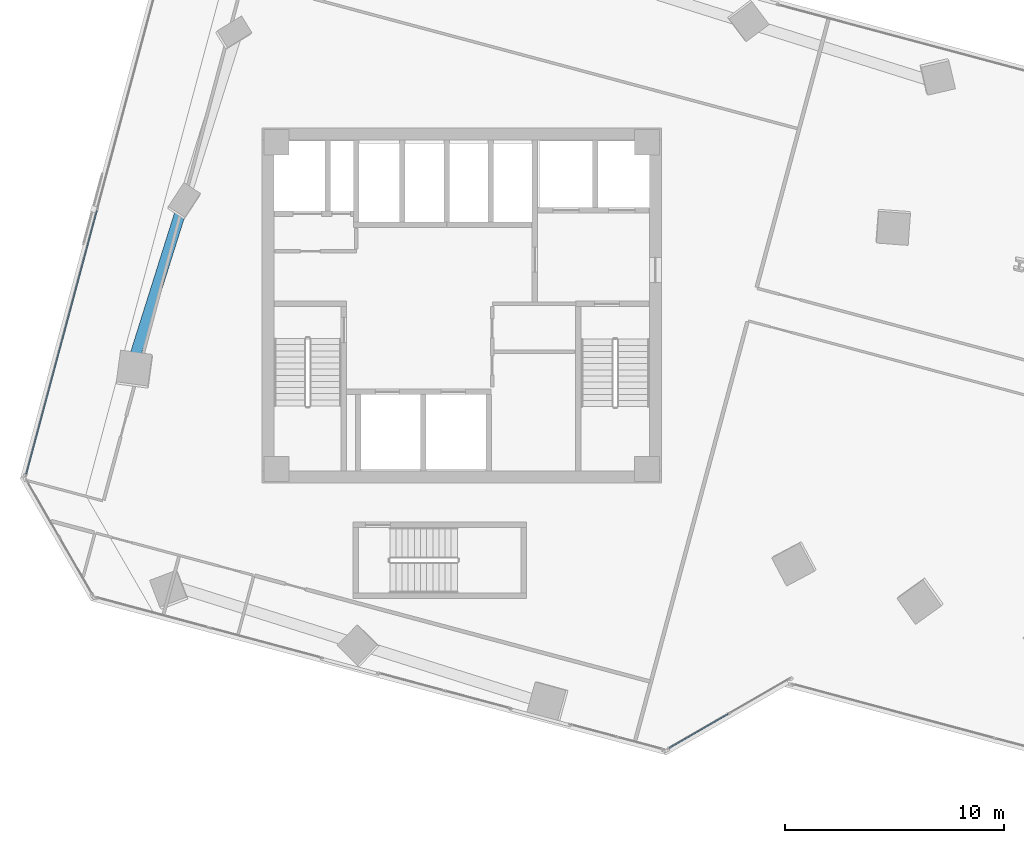
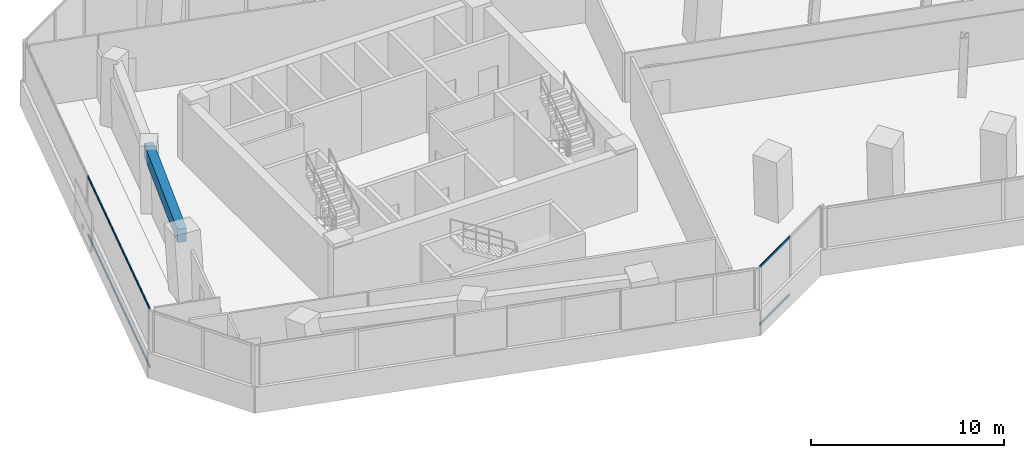
# One storey, part 6 of 27: 4 members, 1 beam, 2 elements without a shape of their own.
"""IFC4 building model written with IfcOpenShell, lengths in metres."""

from ifc_helpers import new_model, si_unit, direction, frame, origin, origin_2d, place, context, subcontext, project, spatial, rectangle, hollow_rectangle, extrude, source, transform, mapped, material, material_profile, profile_set, type_object, element, aggregate, save


model = new_model("IFC4")

# Units and contexts
model_context = context("Model", 3, precision=1e-05, world=origin(), true_north=direction((0.0, 1.0)))
body_context = subcontext(model_context, "Body", "Model", "MODEL_VIEW")
ifc_project = project(units=[si_unit("LENGTHUNIT", "METRE"), si_unit("AREAUNIT", "SQUARE_METRE"), si_unit("VOLUMEUNIT", "CUBIC_METRE"), si_unit("PLANEANGLEUNIT", "RADIAN"), si_unit("MASSUNIT", "GRAM", prefix="KILO")], contexts=[model_context])

# Site, building, storey
site_placement = place(None, origin())
site = spatial("IfcSite", under=ifc_project, at=site_placement, CompositionType="ELEMENT")
building_placement = place(site_placement, origin())
building = spatial("IfcBuilding", under=site, at=building_placement, Name="Torre Montelarca", CompositionType="ELEMENT")
storey_placement = place(building_placement, frame((0.0, 0.0, 108.39990234375)))
storey = spatial("IfcBuildingStorey", under=building, at=storey_placement, Name="L24", CompositionType="ELEMENT", Elevation=108.39990234375)

# Beam
ifc_material_1 = material(Name="Concrete C55/67", Category="concrete")
ifc_material_profile_1 = material_profile(ifc_material_1, rectangle(XDim=0.5, YDim=0.85009765625, at=origin_2d()), Name="RCB500X850", Category="concrete")
ifc_profile_set_1 = profile_set([ifc_material_profile_1], Name="Concrete C55/67")
beam_type = type_object("IfcBeamType", Name="BM-SP-RC850-EXT", PredefinedType="SPANDREL", material=ifc_profile_set_1)
shared_shape_1 = source(origin(), body_context, "Body", "SweptSolid", [
    extrude(rectangle(XDim=0.5, YDim=0.85009765625, at=origin_2d()), origin(), (0.0, 0.0, 1.0), 8.0),
])
beam_placement = place(storey_placement, frame((3.024169921875, 29.437255859375, 3.53515625), z_axis=(0.300722386371, 0.953711720771, 0.0), x_axis=(-0.953711720771, 0.300722386371, 0.0)))
element("IfcBeam", 1, at=beam_placement, inside=storey, type_object=beam_type, Name="L24 Grid Girder Y 24.0-32.0 at X=4.7", PredefinedType="SPANDREL", context=body_context, shape_type="MappedRepresentation", body=[
    mapped(shared_shape_1, transform((0.0, 0.0, 0.0), scale=1.0)),
])

# Curtain wall, members
ifc_material_2 = material(Name="Insulated low-E laminated glass", Category="glass")
curtain_wall_type = type_object("IfcCurtainWallType", Name="CW-SYS-Z1", PredefinedType="USERDEFINED", material=ifc_material_2)
curtain_wall_1_placement = place(storey_placement, origin())
curtain_wall_1 = element("IfcCurtainWall", 2, at=curtain_wall_1_placement, inside=storey, type_object=curtain_wall_type, Name="L24 Curtain Wall Run CW-T3-L24-E02-B1", ObjectType="UNITISED GLAZING", PredefinedType="USERDEFINED")
ifc_material_3 = material(Name="Anodised aluminium AA 6063-T6", Category="aluminium")
ifc_material_profile_2 = material_profile(ifc_material_3, hollow_rectangle(XDim=0.06494140625, YDim=0.139892578125, WallThickness=0.00390625, InnerFilletRadius=0.00390625, OuterFilletRadius=0.008056640625, at=origin_2d()), Name="ALU65X140X4", Category="aluminium")
ifc_profile_set_2 = profile_set([ifc_material_profile_2], Name="Anodised aluminium AA 6063-T6")
member_type = type_object("IfcMemberType", Name="CWT-ALU140", PredefinedType="USERDEFINED", material=ifc_profile_set_2)
shared_shape_2 = source(origin(), body_context, "Body", "SweptSolid", [
    extrude(hollow_rectangle(XDim=0.06494140625, YDim=0.139892578125, WallThickness=0.00390625, InnerFilletRadius=0.00390625, OuterFilletRadius=0.008056640625, at=origin_2d()), origin(), (0.0, 0.0, 1.0), 3.1025390625),
])
member_1_placement = place(storey_placement, frame((27.452880859375, 11.826904296875, 0.03271484375), z_axis=(0.866016534331, 0.50001536203, 0.0), x_axis=(-0.50001536203, 0.866016534331, 0.0)))
member_1 = element("IfcMember", 3, at=member_1_placement, type_object=member_type, Name="CW transom 1.1", ObjectType="TRANSOM", PredefinedType="USERDEFINED", context=body_context, shape_type="MappedRepresentation", body=[
    mapped(shared_shape_2, transform((0.0, 0.0, 0.0), scale=1.0)),
])
member_2_placement = place(storey_placement, frame((27.452880859375, 11.826904296875, 3.6875), z_axis=(0.866016534331, 0.50001536203, 0.0), x_axis=(-0.50001536203, 0.866016534331, 0.0)))
member_2 = element("IfcMember", 4, at=member_2_placement, type_object=member_type, Name="CW transom 1.2", ObjectType="TRANSOM", PredefinedType="USERDEFINED", context=body_context, shape_type="MappedRepresentation", body=[
    mapped(shared_shape_2, transform((0.0, 0.0, 0.0), scale=1.0)),
])
aggregate(curtain_wall_1, [member_1, member_2])

curtain_wall_2_placement = place(storey_placement, origin())
curtain_wall_2 = element("IfcCurtainWall", 5, at=curtain_wall_2_placement, inside=storey, type_object=curtain_wall_type, Name="L24 Curtain Wall Run CW-T3-L24-E10-B1", ObjectType="UNITISED GLAZING", PredefinedType="USERDEFINED")
shared_shape_3 = source(origin(), body_context, "Body", "SweptSolid", [
    extrude(hollow_rectangle(XDim=0.06494140625, YDim=0.139892578125, WallThickness=0.00390625, InnerFilletRadius=0.00390625, OuterFilletRadius=0.008056640625, at=origin_2d()), origin(), (0.0, 0.0, 1.0), 12.436767578125),
])
member_3_placement = place(storey_placement, frame((1.363525390625, 36.32666015625, 0.03271484375), z_axis=(-0.258810985945, -0.965927985698, 0.0), x_axis=(0.965927985698, -0.258810985945, 0.0)))
member_3 = element("IfcMember", 6, at=member_3_placement, type_object=member_type, Name="CW transom 2.1", ObjectType="TRANSOM", PredefinedType="USERDEFINED", context=body_context, shape_type="MappedRepresentation", body=[
    mapped(shared_shape_3, transform((0.0, 0.0, 0.0), scale=1.0)),
])
member_4_placement = place(storey_placement, frame((1.363525390625, 36.32666015625, 3.6875), z_axis=(-0.258810985945, -0.965927985698, 0.0), x_axis=(0.965927985698, -0.258810985945, 0.0)))
member_4 = element("IfcMember", 7, at=member_4_placement, type_object=member_type, Name="CW transom 2.2", ObjectType="TRANSOM", PredefinedType="USERDEFINED", context=body_context, shape_type="MappedRepresentation", body=[
    mapped(shared_shape_3, transform((0.0, 0.0, 0.0), scale=1.0)),
])
aggregate(curtain_wall_2, [member_3, member_4])

save(model, "model.ifc")
